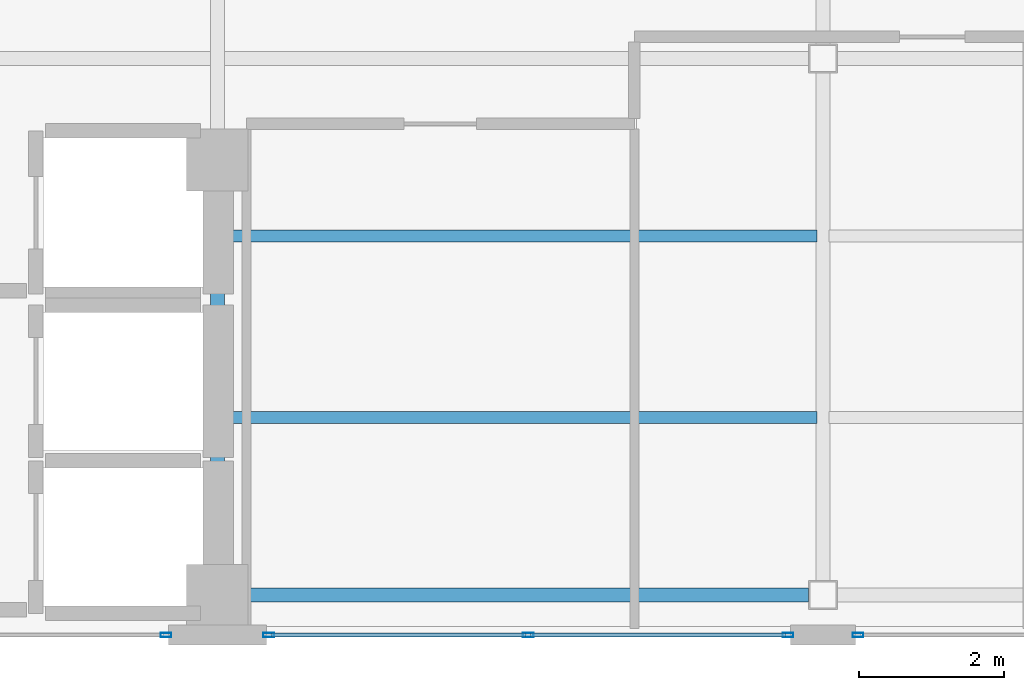
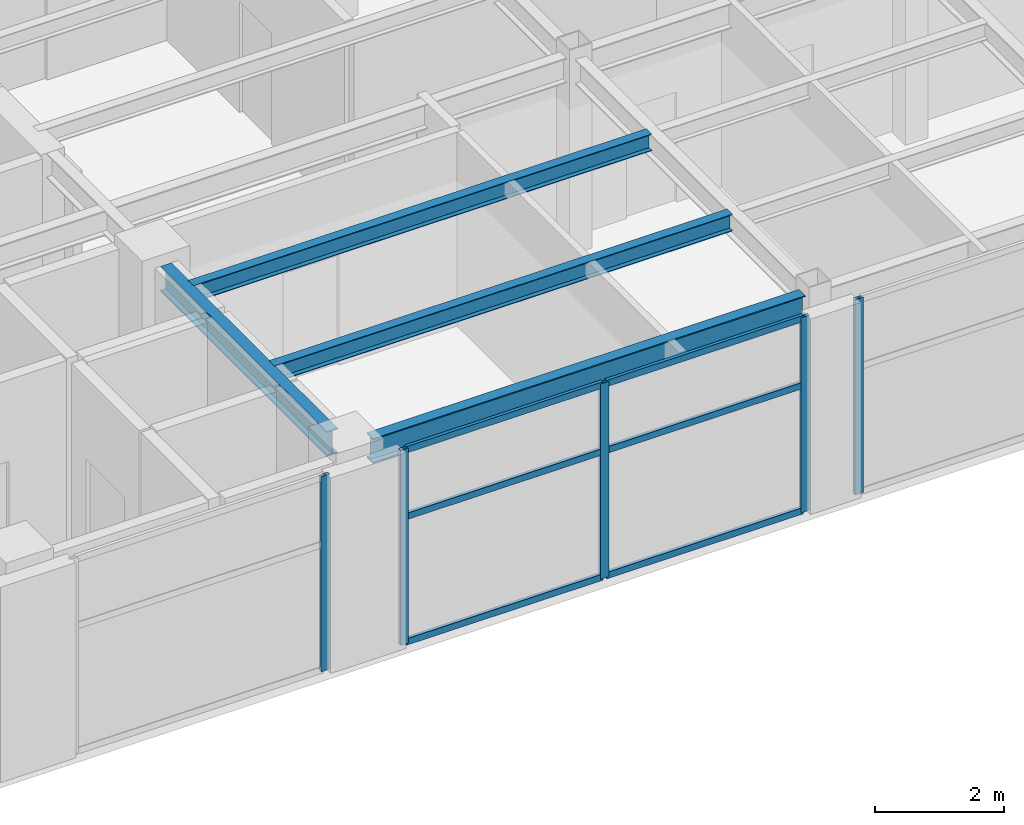
# One storey, part 4 of 14: 11 members, 4 beams, 3 elements without a shape of their own.
"""IFC4 building model written with IfcOpenShell, lengths in metres."""

from ifc_helpers import new_model, si_unit, direction, frame, origin, origin_2d, place, context, subcontext, project, spatial, hollow_rectangle, i_section, extrude, material, layer, layer_set, material_profile, profile_set, type_object, element, aggregate, save


model = new_model("IFC4")

# Units and contexts
model_context = context("Model", 3, precision=1e-05, world=origin(), true_north=direction((0.0, 1.0)))
body_context = subcontext(model_context, "Body", "Model", "MODEL_VIEW")
ifc_project = project(units=[si_unit("LENGTHUNIT", "METRE"), si_unit("AREAUNIT", "SQUARE_METRE"), si_unit("VOLUMEUNIT", "CUBIC_METRE"), si_unit("PLANEANGLEUNIT", "RADIAN"), si_unit("MASSUNIT", "GRAM", prefix="KILO")], contexts=[model_context])

# Site, building, storey
site_placement = place(None, origin())
site = spatial("IfcSite", under=ifc_project, at=site_placement, CompositionType="ELEMENT")
building_placement = place(site_placement, origin())
building = spatial("IfcBuilding", under=site, at=building_placement, Name="Mawjaban Terraces University", CompositionType="ELEMENT")
storey_placement = place(building_placement, frame((0.0, 0.0, 256.0)))
storey = spatial("IfcBuildingStorey", under=building, at=storey_placement, Name="L62", CompositionType="ELEMENT", Elevation=256.0)

# Beams
ifc_material_1 = material(Name="Steel ASTM A572 Grade 50", Category="steel")
ifc_material_profile_1 = material_profile(ifc_material_1, i_section(OverallWidth=0.194091796875, OverallDepth=0.468994140625, WebThickness=0.011474609375, FlangeThickness=0.0205078125, at=origin_2d()), Name="W460X106")
ifc_profile_set_1 = profile_set([ifc_material_profile_1], Name="Steel ASTM A572 Grade 50")
beam_type_1 = type_object("IfcBeamType", Name="Beam_B_W460X106", PredefinedType="BEAM", material=ifc_profile_set_1)
beam_1_placement = place(storey_placement, frame((38.074951171875, 0.550048828125, 3.455078125), z_axis=(1.0, 0.0, 0.0), x_axis=(0.0, 1.0, 0.0)))
element("IfcBeam", 1, at=beam_1_placement, inside=storey, type_object=beam_type_1, Name="L62 Beam BM-L62-EW-01", PredefinedType="BEAM", context=body_context, shape_type="SweptSolid", body=[
    extrude(i_section(OverallWidth=0.194091796875, OverallDepth=0.468994140625, WebThickness=0.011474609375, FlangeThickness=0.0205078125, at=origin_2d()), origin(), (0.0, 0.0, 1.0), 7.72509765625),
])
beam_2_placement = place(storey_placement, frame((37.64990234375, 0.97509765625, 3.455078125), z_axis=(0.0, 1.0, 0.0), x_axis=(-1.0, 0.0, 0.0)))
element("IfcBeam", 2, at=beam_2_placement, inside=storey, type_object=beam_type_1, Name="L62 Beam BM-L62-NS-04", PredefinedType="BEAM", context=body_context, shape_type="SweptSolid", body=[
    extrude(i_section(OverallWidth=0.194091796875, OverallDepth=0.468994140625, WebThickness=0.011474609375, FlangeThickness=0.0205078125, at=origin_2d()), origin(), (0.0, 0.0, 1.0), 5.14990234375),
])
ifc_material_profile_2 = material_profile(ifc_material_1, i_section(OverallWidth=0.1669921875, OverallDepth=0.318115234375, WebThickness=0.007568359375, FlangeThickness=0.01318359375, at=origin_2d()), Name="W310X52")
ifc_profile_set_2 = profile_set([ifc_material_profile_2], Name="Steel ASTM A572 Grade 50")
beam_type_2 = type_object("IfcBeamType", Name="Beam_J_W310X52", PredefinedType="JOIST", material=ifc_profile_set_2)
for number, where, z_axis, x_axis, name in (
    (3, (37.72998046875, 3.0, 3.531005859375), (1.0, 0.0, 0.0), (0.0, 1.0, 0.0), "L62 Composite Joist JST-L62-01"),
    (4, (37.72998046875, 5.5, 3.531005859375), (1.0, 0.0, 0.0), (0.0, 1.0, 0.0), "L62 Composite Joist JST-L62-03"),
):
    element("IfcBeam", number, at=place(storey_placement, frame(where, z_axis=z_axis, x_axis=x_axis)), inside=storey, type_object=beam_type_2, Name=name, PredefinedType="JOIST", context=body_context, shape_type="SweptSolid", body=[
        extrude(i_section(OverallWidth=0.1669921875, OverallDepth=0.318115234375, WebThickness=0.007568359375, FlangeThickness=0.01318359375, at=origin_2d()), origin(), (0.0, 0.0, 1.0), 8.18994140625),
    ])

# Curtain wall, member
ifc_material_2 = material(Name="Anodised aluminium 6063-T6 and solar-control low-E glass", Category="aluminium")
ifc_layer = layer(ifc_material_2, 0.159912109375)
ifc_layer_set = layer_set([ifc_layer], Name="Anodised aluminium 6063-T6 and solar-control low-E glass")
curtain_wall_type = type_object("IfcCurtainWallType", Name="CWSystem_03_NorthWing", PredefinedType="NOTDEFINED", material=ifc_layer_set)
curtain_wall_1_placement = place(storey_placement, origin())
curtain_wall_1 = element("IfcCurtainWall", 5, at=curtain_wall_1_placement, inside=storey, type_object=curtain_wall_type, Name="L62 Curtain Wall CW-03 Run 1.2", PredefinedType="NOTDEFINED")
ifc_material_3 = material(Name="Anodised aluminium 6063-T6", Category="aluminium")
ifc_material_profile_3 = material_profile(ifc_material_3, hollow_rectangle(XDim=0.06005859375, YDim=0.14990234375, WallThickness=0.00390625, at=origin_2d()), Name="ALU150X60X4")
ifc_profile_set_3 = profile_set([ifc_material_profile_3], Name="Anodised aluminium 6063-T6")
member_type_1 = type_object("IfcMemberType", Name="Mullion_CW-03", PredefinedType="MULLION", material=ifc_profile_set_3)
member_1_placement = place(storey_placement, frame((36.9423828125, 0.0, 0.0), z_axis=(0.0, 0.0, 1.0), x_axis=(0.0, 1.0, 0.0)))
member_1 = element("IfcMember", 6, at=member_1_placement, type_object=member_type_1, Name="CW-03 mullion 2", PredefinedType="MULLION", context=body_context, shape_type="SweptSolid", body=[
    extrude(hollow_rectangle(XDim=0.06005859375, YDim=0.14990234375, WallThickness=0.00390625, at=origin_2d()), origin(), (0.0, 0.0, 1.0), 3.68994140625),
])
aggregate(curtain_wall_1, [member_1])

# Curtain wall, members
curtain_wall_2_placement = place(storey_placement, origin())
curtain_wall_2 = element("IfcCurtainWall", 7, at=curtain_wall_2_placement, inside=storey, type_object=curtain_wall_type, Name="L62 Curtain Wall CW-03 Run 1.3", PredefinedType="NOTDEFINED")
member_2_placement = place(storey_placement, frame((38.357421875, 0.0, 0.0), z_axis=(0.0, 0.0, 1.0), x_axis=(0.0, 1.0, 0.0)))
member_2 = element("IfcMember", 8, at=member_2_placement, type_object=member_type_1, Name="CW-03 mullion 1", PredefinedType="MULLION", context=body_context, shape_type="SweptSolid", body=[
    extrude(hollow_rectangle(XDim=0.06005859375, YDim=0.14990234375, WallThickness=0.00390625, at=origin_2d()), origin(), (0.0, 0.0, 1.0), 3.68994140625),
])
member_3_placement = place(storey_placement, frame((41.9375, 0.0, 0.0), z_axis=(0.0, 0.0, 1.0), x_axis=(0.0, 1.0, 0.0)))
member_3 = element("IfcMember", 9, at=member_3_placement, type_object=member_type_1, Name="CW-03 mullion 2", PredefinedType="MULLION", context=body_context, shape_type="SweptSolid", body=[
    extrude(hollow_rectangle(XDim=0.06005859375, YDim=0.14990234375, WallThickness=0.00390625, at=origin_2d()), origin(), (0.0, 0.0, 1.0), 3.68994140625),
])
member_4_placement = place(storey_placement, frame((45.517578125, 0.0, 0.0), z_axis=(0.0, 0.0, 1.0), x_axis=(0.0, 1.0, 0.0)))
member_4 = element("IfcMember", 10, at=member_4_placement, type_object=member_type_1, Name="CW-03 mullion 3", PredefinedType="MULLION", context=body_context, shape_type="SweptSolid", body=[
    extrude(hollow_rectangle(XDim=0.06005859375, YDim=0.14990234375, WallThickness=0.00390625, at=origin_2d()), origin(), (0.0, 0.0, 1.0), 3.68994140625),
])

# Curtain wall, member
curtain_wall_3_placement = place(storey_placement, origin())
curtain_wall_3 = element("IfcCurtainWall", 11, at=curtain_wall_3_placement, inside=storey, type_object=curtain_wall_type, Name="L62 Curtain Wall CW-03 Run 1.4", PredefinedType="NOTDEFINED")
member_5_placement = place(storey_placement, frame((46.482421875, 0.0, 0.0), z_axis=(0.0, 0.0, 1.0), x_axis=(0.0, 1.0, 0.0)))
member_5 = element("IfcMember", 12, at=member_5_placement, type_object=member_type_1, Name="CW-03 mullion 1", PredefinedType="MULLION", context=body_context, shape_type="SweptSolid", body=[
    extrude(hollow_rectangle(XDim=0.06005859375, YDim=0.14990234375, WallThickness=0.00390625, at=origin_2d()), origin(), (0.0, 0.0, 1.0), 3.68994140625),
])
aggregate(curtain_wall_3, [member_5])

# Member
ifc_material_profile_4 = material_profile(ifc_material_3, hollow_rectangle(XDim=0.06005859375, YDim=0.1201171875, WallThickness=0.00341796875, at=origin_2d()), Name="ALU120X60X3.5")
ifc_profile_set_4 = profile_set([ifc_material_profile_4], Name="Anodised aluminium 6063-T6")
member_type_2 = type_object("IfcMemberType", Name="Transom_CW-03", PredefinedType="NOTDEFINED", material=ifc_profile_set_4)
member_6_placement = place(storey_placement, frame((38.389892578125, 0.0, 0.030029296875), z_axis=(1.0, 0.0, 0.0), x_axis=(0.0, 1.0, 0.0)))
member_6 = element("IfcMember", 13, at=member_6_placement, type_object=member_type_2, Name="CW-03 transom 1.1", ObjectType="TRANSOM", PredefinedType="USERDEFINED", context=body_context, shape_type="SweptSolid", body=[
    extrude(hollow_rectangle(XDim=0.06005859375, YDim=0.1201171875, WallThickness=0.00341796875, at=origin_2d()), origin(), (0.0, 0.0, 1.0), 3.51513671875),
])

member_7_placement = place(storey_placement, frame((38.389892578125, 0.0, 2.39892578125), z_axis=(1.0, 0.0, 0.0), x_axis=(0.0, 1.0, 0.0)))
member_7 = element("IfcMember", 14, at=member_7_placement, type_object=member_type_2, Name="CW-03 transom 1.2", ObjectType="TRANSOM", PredefinedType="USERDEFINED", context=body_context, shape_type="SweptSolid", body=[
    extrude(hollow_rectangle(XDim=0.06005859375, YDim=0.1201171875, WallThickness=0.00341796875, at=origin_2d()), origin(), (0.0, 0.0, 1.0), 3.51513671875),
])

member_8_placement = place(storey_placement, frame((38.389892578125, 0.0, 3.659912109375), z_axis=(1.0, 0.0, 0.0), x_axis=(0.0, 1.0, 0.0)))
member_8 = element("IfcMember", 15, at=member_8_placement, type_object=member_type_2, Name="CW-03 transom 1.3", ObjectType="TRANSOM", PredefinedType="USERDEFINED", context=body_context, shape_type="SweptSolid", body=[
    extrude(hollow_rectangle(XDim=0.06005859375, YDim=0.1201171875, WallThickness=0.00341796875, at=origin_2d()), origin(), (0.0, 0.0, 1.0), 3.51513671875),
])

member_9_placement = place(storey_placement, frame((41.969970703125, 0.0, 0.030029296875), z_axis=(1.0, 0.0, 0.0), x_axis=(0.0, 1.0, 0.0)))
member_9 = element("IfcMember", 16, at=member_9_placement, type_object=member_type_2, Name="CW-03 transom 2.1", ObjectType="TRANSOM", PredefinedType="USERDEFINED", context=body_context, shape_type="SweptSolid", body=[
    extrude(hollow_rectangle(XDim=0.06005859375, YDim=0.1201171875, WallThickness=0.00341796875, at=origin_2d()), origin(), (0.0, 0.0, 1.0), 3.51513671875),
])

member_10_placement = place(storey_placement, frame((41.969970703125, 0.0, 2.39892578125), z_axis=(1.0, 0.0, 0.0), x_axis=(0.0, 1.0, 0.0)))
member_10 = element("IfcMember", 17, at=member_10_placement, type_object=member_type_2, Name="CW-03 transom 2.2", ObjectType="TRANSOM", PredefinedType="USERDEFINED", context=body_context, shape_type="SweptSolid", body=[
    extrude(hollow_rectangle(XDim=0.06005859375, YDim=0.1201171875, WallThickness=0.00341796875, at=origin_2d()), origin(), (0.0, 0.0, 1.0), 3.51513671875),
])

member_11_placement = place(storey_placement, frame((41.969970703125, 0.0, 3.659912109375), z_axis=(1.0, 0.0, 0.0), x_axis=(0.0, 1.0, 0.0)))
member_11 = element("IfcMember", 18, at=member_11_placement, type_object=member_type_2, Name="CW-03 transom 2.3", ObjectType="TRANSOM", PredefinedType="USERDEFINED", context=body_context, shape_type="SweptSolid", body=[
    extrude(hollow_rectangle(XDim=0.06005859375, YDim=0.1201171875, WallThickness=0.00341796875, at=origin_2d()), origin(), (0.0, 0.0, 1.0), 3.51513671875),
])

aggregate(curtain_wall_2, [member_2, member_3, member_4, member_6, member_7, member_8, member_9, member_10, member_11])

save(model, "model.ifc")
